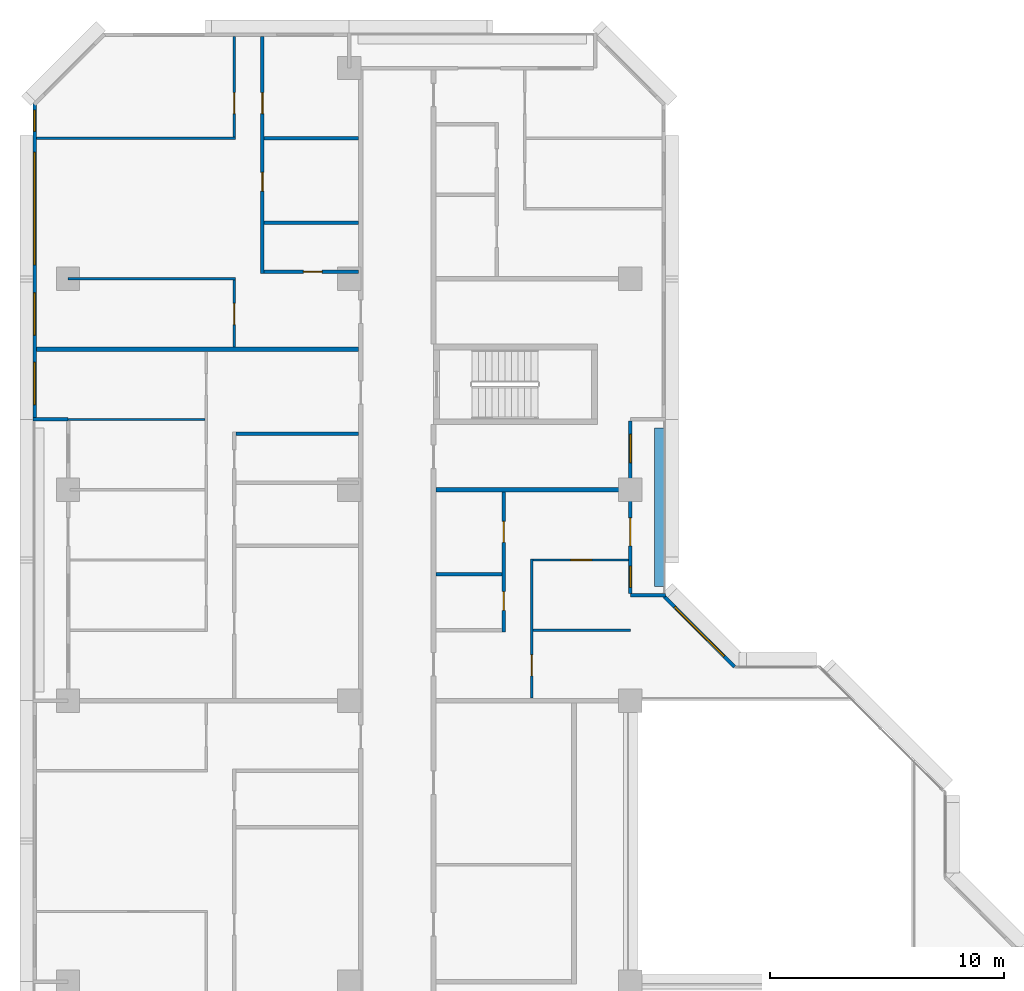
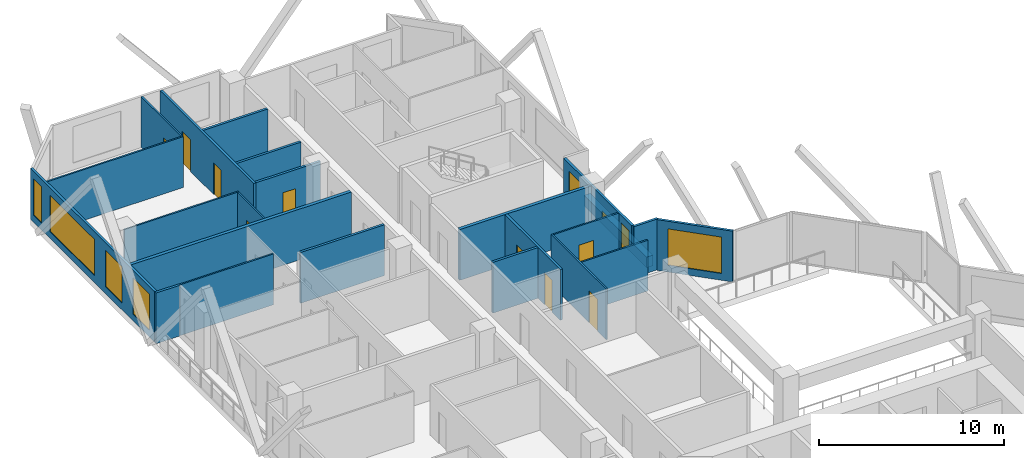
# One storey, part 10 of 16: 23 walls, 10 doors, 7 windows, 17 openings.
"""IFC4 building model written with IfcOpenShell, lengths in metres."""

from ifc_helpers import new_model, si_unit, direction, frame, frame_2d, origin, place, context, subcontext, project, spatial, rectangle, extrude, material, layer, layer_set, type_object, element, fill, save


model = new_model("IFC4")

# Units and contexts
model_context = context("Model", 3, precision=1e-05, world=origin(), true_north=direction((0.0, 1.0)))
body_context = subcontext(model_context, "Body", "Model", "MODEL_VIEW")
ifc_project = project(units=[si_unit("LENGTHUNIT", "METRE"), si_unit("AREAUNIT", "SQUARE_METRE"), si_unit("VOLUMEUNIT", "CUBIC_METRE"), si_unit("PLANEANGLEUNIT", "RADIAN"), si_unit("MASSUNIT", "GRAM", prefix="KILO")], contexts=[model_context])

# Site, building, storey
site_placement = place(None, origin())
site = spatial("IfcSite", under=ifc_project, at=site_placement, CompositionType="ELEMENT")
building_placement = place(site_placement, origin())
building = spatial("IfcBuilding", under=site, at=building_placement, Name="Chenar Terraces", CompositionType="ELEMENT")
storey_placement = place(building_placement, frame((0.0, 0.0, 99.39990234375)))
storey = spatial("IfcBuildingStorey", under=building, at=storey_placement, Name="L22", CompositionType="ELEMENT", Elevation=99.39990234375)

# Wall, openings, windows
ifc_material_1 = material(Name="Aluminium framed glazing", Category="aluminium")
ifc_layer_1 = layer(ifc_material_1, 0.14990234375)
ifc_layer_set_1 = layer_set([ifc_layer_1], Name="Aluminium framed glazing")
wall_type_1 = type_object("IfcWallType", Name="Glazed flush facade wall 150", PredefinedType="SOLIDWALL", material=ifc_layer_set_1)
wall_1_placement = place(storey_placement, frame((-1.425048828125, 61.5, 0.0), z_axis=(0.0, 0.0, 1.0), x_axis=(0.0, -1.0, 0.0)))
wall_1 = element("IfcWall", 1, at=wall_1_placement, inside=storey, type_object=wall_type_1, Name="Glazed flush facade wall", PredefinedType="SOLIDWALL", context=body_context, shape_type="SweptSolid", body=[
    extrude(rectangle(XDim=13.425048828125, YDim=0.14990234375, at=frame_2d((6.71240234375, 0.0))), origin(), (0.0, 0.0, 1.0), 3.35009765625),
])
opening_1_placement = place(wall_1_placement, frame((0.300048828125, 0.0, 0.449951171875)))
opening_1 = element("IfcOpeningElement", 2, at=opening_1_placement, cuts=wall_1, Name="Opening W90x240", PredefinedType="OPENING", context=body_context, shape_type="SweptSolid", body=[
    extrude(rectangle(XDim=0.89990234375, YDim=2.39990234375, at=frame_2d((0.449951171875, 1.199951171875))), frame((0.0, 0.0849609375, 0.0), z_axis=(0.0, -1.0, 0.0), x_axis=(1.0, 0.0, 0.0)), (0.0, 0.0, 1.0), 0.169921875),
])
opening_2_placement = place(wall_1_placement, frame((2.10009765625, 0.0, 0.449951171875)))
opening_2 = element("IfcOpeningElement", 3, at=opening_2_placement, cuts=wall_1, Name="Opening W480x240", PredefinedType="OPENING", context=body_context, shape_type="SweptSolid", body=[
    extrude(rectangle(XDim=4.800048828125, YDim=2.39990234375, at=frame_2d((2.39990234375, 1.199951171875))), frame((0.0, 0.0849609375, 0.0), z_axis=(0.0, -1.0, 0.0), x_axis=(1.0, 0.0, 0.0)), (0.0, 0.0, 1.0), 0.169921875),
])
opening_3_placement = place(wall_1_placement, frame((8.10009765625, 0.0, 0.449951171875)))
opening_3 = element("IfcOpeningElement", 4, at=opening_3_placement, cuts=wall_1, Name="Opening W180x240", PredefinedType="OPENING", context=body_context, shape_type="SweptSolid", body=[
    extrude(rectangle(XDim=1.800048828125, YDim=2.39990234375, at=frame_2d((0.89990234375, 1.199951171875))), frame((0.0, 0.0849609375, 0.0), z_axis=(0.0, -1.0, 0.0), x_axis=(1.0, 0.0, 0.0)), (0.0, 0.0, 1.0), 0.169921875),
])
opening_4_placement = place(wall_1_placement, frame((11.0625, 0.0, 0.449951171875)))
opening_4 = element("IfcOpeningElement", 5, at=opening_4_placement, cuts=wall_1, Name="Opening W180x240", PredefinedType="OPENING", context=body_context, shape_type="SweptSolid", body=[
    extrude(rectangle(XDim=1.800048828125, YDim=2.39990234375, at=frame_2d((0.89990234375, 1.199951171875))), frame((0.0, 0.0849609375, 0.0), z_axis=(0.0, -1.0, 0.0), x_axis=(1.0, 0.0, 0.0)), (0.0, 0.0, 1.0), 0.169921875),
])
ifc_material_2 = material(Name="Low emissivity double glazing, aluminium frame", Category="aluminium")
window_type_1 = type_object("IfcWindowType", Name="Fixed light 1800 x 2400", PartitioningType="SINGLE_PANEL", PredefinedType="WINDOW", material=ifc_material_2)
window_1_placement = place(opening_3_placement, origin())
window_1 = element("IfcWindow", 6, at=window_1_placement, inside=storey, type_object=window_type_1, Name="Window", OverallHeight=2.39990234375, OverallWidth=1.800048828125, PartitioningType="SINGLE_PANEL", PredefinedType="WINDOW", context=body_context, shape_type="SweptSolid", body=[
    extrude(rectangle(XDim=1.800048828125, YDim=2.39990234375, at=frame_2d((0.89990234375, 1.199951171875))), frame((0.0, 0.030029296875, 0.0), z_axis=(0.0, -1.0, 0.0), x_axis=(1.0, 0.0, 0.0)), (0.0, 0.0, 1.0), 0.06005859375),
])
fill(opening_3, window_1)
window_2_placement = place(opening_4_placement, origin())
window_2 = element("IfcWindow", 7, at=window_2_placement, inside=storey, type_object=window_type_1, Name="Window", OverallHeight=2.39990234375, OverallWidth=1.800048828125, PartitioningType="SINGLE_PANEL", PredefinedType="WINDOW", context=body_context, shape_type="SweptSolid", body=[
    extrude(rectangle(XDim=1.800048828125, YDim=2.39990234375, at=frame_2d((0.89990234375, 1.199951171875))), frame((0.0, 0.030029296875, 0.0), z_axis=(0.0, -1.0, 0.0), x_axis=(1.0, 0.0, 0.0)), (0.0, 0.0, 1.0), 0.06005859375),
])
fill(opening_4, window_2)
ifc_material_3 = material(Name="Low emissivity double glazing, aluminium frame", Category="aluminium")
window_type_2 = type_object("IfcWindowType", Name="Fixed light 4800 x 2400", PartitioningType="SINGLE_PANEL", PredefinedType="WINDOW", material=ifc_material_3)
window_3_placement = place(opening_2_placement, origin())
window_3 = element("IfcWindow", 8, at=window_3_placement, inside=storey, type_object=window_type_2, Name="Window", OverallHeight=2.39990234375, OverallWidth=4.800048828125, PartitioningType="SINGLE_PANEL", PredefinedType="WINDOW", context=body_context, shape_type="SweptSolid", body=[
    extrude(rectangle(XDim=4.800048828125, YDim=2.39990234375, at=frame_2d((2.39990234375, 1.199951171875))), frame((0.0, 0.030029296875, 0.0), z_axis=(0.0, -1.0, 0.0), x_axis=(1.0, 0.0, 0.0)), (0.0, 0.0, 1.0), 0.06005859375),
])
fill(opening_2, window_3)
ifc_material_4 = material(Name="Low emissivity double glazing, aluminium frame", Category="aluminium")
window_type_3 = type_object("IfcWindowType", Name="Fixed light 900 x 2400", PartitioningType="SINGLE_PANEL", PredefinedType="WINDOW", material=ifc_material_4)
window_4_placement = place(opening_1_placement, origin())
window_4 = element("IfcWindow", 9, at=window_4_placement, inside=storey, type_object=window_type_3, Name="Window", OverallHeight=2.39990234375, OverallWidth=0.89990234375, PartitioningType="SINGLE_PANEL", PredefinedType="WINDOW", context=body_context, shape_type="SweptSolid", body=[
    extrude(rectangle(XDim=0.89990234375, YDim=2.39990234375, at=frame_2d((0.449951171875, 1.199951171875))), frame((0.0, 0.030029296875, 0.0), z_axis=(0.0, -1.0, 0.0), x_axis=(1.0, 0.0, 0.0)), (0.0, 0.0, 1.0), 0.06005859375),
])
fill(opening_1, window_4)

# Wall, openings, windows, door
ifc_material_5 = material(Name="Aluminium framed glazing", Category="aluminium")
ifc_layer_2 = layer(ifc_material_5, 0.14990234375)
ifc_layer_set_2 = layer_set([ifc_layer_2], Name="Aluminium framed glazing")
wall_type_2 = type_object("IfcWallType", Name="Glazed loggia back wall 150", PredefinedType="SOLIDWALL", material=ifc_layer_set_2)
wall_2_placement = place(storey_placement, frame((24.0, 40.574951171875, 0.0), z_axis=(0.0, 0.0, 1.0), x_axis=(0.0, 1.0, 0.0)))
wall_2 = element("IfcWall", 10, at=wall_2_placement, inside=storey, type_object=wall_type_2, Name="Glazed loggia back wall", PredefinedType="SOLIDWALL", context=body_context, shape_type="SweptSolid", body=[
    extrude(rectangle(XDim=7.35009765625, YDim=0.14990234375, at=frame_2d((3.675048828125, 0.0))), origin(), (0.0, 0.0, 1.0), 3.35009765625),
])
opening_5_placement = place(wall_2_placement, frame((0.262451171875, 0.0, 0.449951171875)))
opening_5 = element("IfcOpeningElement", 11, at=opening_5_placement, cuts=wall_2, Name="Opening W90x240", PredefinedType="OPENING", context=body_context, shape_type="SweptSolid", body=[
    extrude(rectangle(XDim=0.89990234375, YDim=2.39990234375, at=frame_2d((0.449951171875, 1.199951171875))), frame((0.0, 0.0849609375, 0.0), z_axis=(0.0, -1.0, 0.0), x_axis=(1.0, 0.0, 0.0)), (0.0, 0.0, 1.0), 0.169921875),
])
opening_6_placement = place(wall_2_placement, frame((2.02490234375, 0.0, 0.0)))
opening_6 = element("IfcOpeningElement", 12, at=opening_6_placement, cuts=wall_2, Name="Opening DL22-G2", PredefinedType="OPENING", context=body_context, shape_type="SweptSolid", body=[
    extrude(rectangle(XDim=1.199951171875, YDim=2.39990234375, at=frame_2d((0.60009765625, 1.199951171875))), frame((0.0, 0.0849609375, 0.0), z_axis=(0.0, -1.0, 0.0), x_axis=(1.0, 0.0, 0.0)), (0.0, 0.0, 1.0), 0.169921875),
])
opening_7_placement = place(wall_2_placement, frame((5.58740234375, 0.0, 0.449951171875)))
opening_7 = element("IfcOpeningElement", 13, at=opening_7_placement, cuts=wall_2, Name="Opening W120x240", PredefinedType="OPENING", context=body_context, shape_type="SweptSolid", body=[
    extrude(rectangle(XDim=1.199951171875, YDim=2.39990234375, at=frame_2d((0.60009765625, 1.199951171875))), frame((0.0, 0.0849609375, 0.0), z_axis=(0.0, -1.0, 0.0), x_axis=(1.0, 0.0, 0.0)), (0.0, 0.0, 1.0), 0.169921875),
])
ifc_material_6 = material(Name="Low emissivity double glazing, aluminium frame", Category="aluminium")
window_type_4 = type_object("IfcWindowType", Name="Fixed light 1200 x 2400", PartitioningType="SINGLE_PANEL", PredefinedType="WINDOW", material=ifc_material_6)
window_5_placement = place(opening_7_placement, origin())
window_5 = element("IfcWindow", 14, at=window_5_placement, inside=storey, type_object=window_type_4, Name="Window", OverallHeight=2.39990234375, OverallWidth=1.199951171875, PartitioningType="SINGLE_PANEL", PredefinedType="WINDOW", context=body_context, shape_type="SweptSolid", body=[
    extrude(rectangle(XDim=1.199951171875, YDim=2.39990234375, at=frame_2d((0.60009765625, 1.199951171875))), frame((0.0, 0.030029296875, 0.0), z_axis=(0.0, -1.0, 0.0), x_axis=(1.0, 0.0, 0.0)), (0.0, 0.0, 1.0), 0.06005859375),
])
fill(opening_7, window_5)
window_6_placement = place(opening_5_placement, origin())
window_6 = element("IfcWindow", 15, at=window_6_placement, inside=storey, type_object=window_type_3, Name="Window", OverallHeight=2.39990234375, OverallWidth=0.89990234375, PartitioningType="SINGLE_PANEL", PredefinedType="WINDOW", context=body_context, shape_type="SweptSolid", body=[
    extrude(rectangle(XDim=0.89990234375, YDim=2.39990234375, at=frame_2d((0.449951171875, 1.199951171875))), frame((0.0, 0.030029296875, 0.0), z_axis=(0.0, -1.0, 0.0), x_axis=(1.0, 0.0, 0.0)), (0.0, 0.0, 1.0), 0.06005859375),
])
fill(opening_5, window_6)
ifc_material_7 = material(Name="Low emissivity double glazing, aluminium frame", Category="aluminium")
door_type_1 = type_object("IfcDoorType", Name="Loggia glazed double door 1200 x 2400", OperationType="DOUBLE_DOOR_SINGLE_SWING", PredefinedType="DOOR", material=ifc_material_7)
door_1_placement = place(opening_6_placement, frame((1.199951171875, 0.0, 0.0), z_axis=(0.0, 0.0, 1.0), x_axis=(-1.0, 0.0, 0.0)))
door_1 = element("IfcDoor", 16, at=door_1_placement, inside=storey, type_object=door_type_1, Name="Loggia glazed door", OperationType="DOUBLE_DOOR_SINGLE_SWING", OverallHeight=2.39990234375, OverallWidth=1.199951171875, PredefinedType="DOOR", context=body_context, shape_type="SweptSolid", body=[
    extrude(rectangle(XDim=1.199951171875, YDim=2.39990234375, at=frame_2d((0.60009765625, 1.199951171875))), frame((0.0, 0.02490234375, 0.0), z_axis=(0.0, -1.0, 0.0), x_axis=(1.0, 0.0, 0.0)), (0.0, 0.0, 1.0), 0.050048828125),
])
fill(opening_6, door_1)

# Walls
ifc_material_8 = material(Name="Gypsum board on steel studs", Category="steel")
ifc_layer_3 = layer(ifc_material_8, 0.10009765625)
ifc_layer_set_3 = layer_set([ifc_layer_3], Name="Gypsum board on steel studs")
wall_type_3 = type_object("IfcWallType", Name="Gypsum partition 100", PredefinedType="PARTITIONING", material=ifc_layer_set_3)
wall_3_placement = place(storey_placement, frame((0.0, 48.0, 0.0), z_axis=(0.0, 0.0, 1.0), x_axis=(1.0, 0.0, 0.0)))
element("IfcWall", 17, at=wall_3_placement, inside=storey, type_object=wall_type_3, Name="Partition L22-004", PredefinedType="PARTITIONING", context=body_context, shape_type="SweptSolid", body=[
    extrude(rectangle(XDim=5.85009765625, YDim=0.10009765625, at=frame_2d((2.925048828125, 0.0))), origin(), (0.0, 0.0, 1.0), 3.35009765625),
])
wall_4_placement = place(storey_placement, frame((0.0, 54.0, 0.0), z_axis=(0.0, 0.0, 1.0), x_axis=(1.0, 0.0, 0.0)))
element("IfcWall", 18, at=wall_4_placement, inside=storey, type_object=wall_type_3, Name="Partition L22-006", PredefinedType="PARTITIONING", context=body_context, shape_type="SweptSolid", body=[
    extrude(rectangle(XDim=7.14990234375, YDim=0.10009765625, at=frame_2d((3.574951171875, 0.0))), origin(), (0.0, 0.0, 1.0), 3.35009765625),
])
wall_5_placement = place(storey_placement, frame((-1.35009765625, 60.0, 0.0), z_axis=(0.0, 0.0, 1.0), x_axis=(1.0, 0.0, 0.0)))
element("IfcWall", 19, at=wall_5_placement, inside=storey, type_object=wall_type_3, Name="Partition L22-007", PredefinedType="PARTITIONING", context=body_context, shape_type="SweptSolid", body=[
    extrude(rectangle(XDim=8.5, YDim=0.10009765625, at=frame_2d((4.25, 0.0))), origin(), (0.0, 0.0, 1.0), 3.35009765625),
])

# Wall, opening, door
wall_6_placement = place(storey_placement, frame((7.10009765625, 51.10009765625, 0.0), z_axis=(0.0, 0.0, 1.0), x_axis=(0.0, 1.0, 0.0)))
wall_6 = element("IfcWall", 20, at=wall_6_placement, inside=storey, type_object=wall_type_3, Name="Partition L22-019", PredefinedType="PARTITIONING", context=body_context, shape_type="SweptSolid", body=[
    extrude(rectangle(XDim=2.849853515625, YDim=0.10009765625, at=frame_2d((1.4248046875, 0.0))), origin(), (0.0, 0.0, 1.0), 3.35009765625),
])
opening_8_placement = place(wall_6_placement, frame((0.949951171875, 0.0, 0.0)))
opening_8 = element("IfcOpeningElement", 21, at=opening_8_placement, cuts=wall_6, Name="Opening DL22-43", PredefinedType="OPENING", context=body_context, shape_type="SweptSolid", body=[
    extrude(rectangle(XDim=0.89990234375, YDim=2.10009765625, at=frame_2d((0.449951171875, 1.050048828125))), frame((0.0, 0.06005859375, 0.0), z_axis=(0.0, -1.0, 0.0), x_axis=(1.0, 0.0, 0.0)), (0.0, 0.0, 1.0), 0.1201171875),
])
ifc_material_9 = material(Name="Veneered timber door leaf", Category="wood")
door_type_2 = type_object("IfcDoorType", Name="Door 900 x 2100", OperationType="SINGLE_SWING_LEFT", PredefinedType="DOOR", material=ifc_material_9)
door_2_placement = place(opening_8_placement, origin())
door_2 = element("IfcDoor", 22, at=door_2_placement, inside=storey, type_object=door_type_2, Name="Door DL22-43", OperationType="SINGLE_SWING_RIGHT", OverallHeight=2.10009765625, OverallWidth=0.89990234375, PredefinedType="DOOR", context=body_context, shape_type="SweptSolid", body=[
    extrude(rectangle(XDim=0.89990234375, YDim=2.10009765625, at=frame_2d((0.449951171875, 1.050048828125))), frame((0.0, 0.02490234375, 0.0), z_axis=(0.0, -1.0, 0.0), x_axis=(1.0, 0.0, 0.0)), (0.0, 0.0, 1.0), 0.050048828125),
])
fill(opening_8, door_2)

wall_7_placement = place(storey_placement, frame((7.10009765625, 60.050048828125, 0.0), z_axis=(0.0, 0.0, 1.0), x_axis=(0.0, 1.0, 0.0)))
wall_7 = element("IfcWall", 23, at=wall_7_placement, inside=storey, type_object=wall_type_3, Name="Partition L22-020", PredefinedType="PARTITIONING", context=body_context, shape_type="SweptSolid", body=[
    extrude(rectangle(XDim=4.300048828125, YDim=0.10009765625, at=frame_2d((2.14990234375, 0.0))), origin(), (0.0, 0.0, 1.0), 3.35009765625),
])
opening_9_placement = place(wall_7_placement, frame((1.0, 0.0, 0.0)))
opening_9 = element("IfcOpeningElement", 24, at=opening_9_placement, cuts=wall_7, Name="Opening DL22-44", PredefinedType="OPENING", context=body_context, shape_type="SweptSolid", body=[
    extrude(rectangle(XDim=0.89990234375, YDim=2.10009765625, at=frame_2d((0.449951171875, 1.050048828125))), frame((0.0, 0.06005859375, 0.0), z_axis=(0.0, -1.0, 0.0), x_axis=(1.0, 0.0, 0.0)), (0.0, 0.0, 1.0), 0.1201171875),
])
door_3_placement = place(opening_9_placement, origin())
door_3 = element("IfcDoor", 25, at=door_3_placement, inside=storey, type_object=door_type_2, Name="Door DL22-44", OperationType="SINGLE_SWING_LEFT", OverallHeight=2.10009765625, OverallWidth=0.89990234375, PredefinedType="DOOR", context=body_context, shape_type="SweptSolid", body=[
    extrude(rectangle(XDim=0.89990234375, YDim=2.10009765625, at=frame_2d((0.449951171875, 1.050048828125))), frame((0.0, 0.02490234375, 0.0), z_axis=(0.0, -1.0, 0.0), x_axis=(1.0, 0.0, 0.0)), (0.0, 0.0, 1.0), 0.050048828125),
])
fill(opening_9, door_3)

wall_8_placement = place(storey_placement, frame((19.800048828125, 36.10009765625, 0.0), z_axis=(0.0, 0.0, 1.0), x_axis=(0.0, 1.0, 0.0)))
wall_8 = element("IfcWall", 26, at=wall_8_placement, inside=storey, type_object=wall_type_3, Name="Partition L22-052", PredefinedType="PARTITIONING", context=body_context, shape_type="SweptSolid", body=[
    extrude(rectangle(XDim=5.949951171875, YDim=0.10009765625, at=frame_2d((2.97509765625, 0.0))), origin(), (0.0, 0.0, 1.0), 3.35009765625),
])
opening_10_placement = place(wall_8_placement, frame((0.949951171875, 0.0, 0.0)))
opening_10 = element("IfcOpeningElement", 27, at=opening_10_placement, cuts=wall_8, Name="Opening DL22-25", PredefinedType="OPENING", context=body_context, shape_type="SweptSolid", body=[
    extrude(rectangle(XDim=0.89990234375, YDim=2.10009765625, at=frame_2d((0.449951171875, 1.050048828125))), frame((0.0, 0.06005859375, 0.0), z_axis=(0.0, -1.0, 0.0), x_axis=(1.0, 0.0, 0.0)), (0.0, 0.0, 1.0), 0.1201171875),
])
door_4_placement = place(opening_10_placement, frame((0.89990234375, 0.0, 0.0), z_axis=(0.0, 0.0, 1.0), x_axis=(-1.0, 0.0, 0.0)))
door_4 = element("IfcDoor", 28, at=door_4_placement, inside=storey, type_object=door_type_2, Name="Door DL22-25", OperationType="SINGLE_SWING_LEFT", OverallHeight=2.10009765625, OverallWidth=0.89990234375, PredefinedType="DOOR", context=body_context, shape_type="SweptSolid", body=[
    extrude(rectangle(XDim=0.89990234375, YDim=2.10009765625, at=frame_2d((0.449951171875, 1.050048828125))), frame((0.0, 0.02490234375, 0.0), z_axis=(0.0, -1.0, 0.0), x_axis=(1.0, 0.0, 0.0)), (0.0, 0.0, 1.0), 0.050048828125),
])
fill(opening_10, door_4)

# Wall
wall_9_placement = place(storey_placement, frame((19.85009765625, 39.0, 0.0), z_axis=(0.0, 0.0, 1.0), x_axis=(1.0, 0.0, 0.0)))
element("IfcWall", 29, at=wall_9_placement, inside=storey, type_object=wall_type_3, Name="Partition L22-053", PredefinedType="PARTITIONING", context=body_context, shape_type="SweptSolid", body=[
    extrude(rectangle(XDim=4.14990234375, YDim=0.10009765625, at=frame_2d((2.074951171875, 0.0))), origin(), (0.0, 0.0, 1.0), 3.35009765625),
])

# Wall, opening, door
wall_10_placement = place(storey_placement, frame((19.85009765625, 42.0, 0.0), z_axis=(0.0, 0.0, 1.0), x_axis=(1.0, 0.0, 0.0)))
wall_10 = element("IfcWall", 30, at=wall_10_placement, inside=storey, type_object=wall_type_3, Name="Partition L22-054", PredefinedType="PARTITIONING", context=body_context, shape_type="SweptSolid", body=[
    extrude(rectangle(XDim=4.075927734375, YDim=0.10009765625, at=frame_2d((2.0380859375, 0.0))), origin(), (0.0, 0.0, 1.0), 3.35009765625),
])
opening_11_placement = place(wall_10_placement, frame((1.60009765625, 0.0, 0.0)))
opening_11 = element("IfcOpeningElement", 31, at=opening_11_placement, cuts=wall_10, Name="Opening DL22-26", PredefinedType="OPENING", context=body_context, shape_type="SweptSolid", body=[
    extrude(rectangle(XDim=0.89990234375, YDim=2.10009765625, at=frame_2d((0.449951171875, 1.050048828125))), frame((0.0, 0.06005859375, 0.0), z_axis=(0.0, -1.0, 0.0), x_axis=(1.0, 0.0, 0.0)), (0.0, 0.0, 1.0), 0.1201171875),
])
door_5_placement = place(opening_11_placement, frame((0.89990234375, 0.0, 0.0), z_axis=(0.0, 0.0, 1.0), x_axis=(-1.0, 0.0, 0.0)))
door_5 = element("IfcDoor", 32, at=door_5_placement, inside=storey, type_object=door_type_2, Name="Door DL22-26", OperationType="SINGLE_SWING_LEFT", OverallHeight=2.10009765625, OverallWidth=0.89990234375, PredefinedType="DOOR", context=body_context, shape_type="SweptSolid", body=[
    extrude(rectangle(XDim=0.89990234375, YDim=2.10009765625, at=frame_2d((0.449951171875, 1.050048828125))), frame((0.0, 0.02490234375, 0.0), z_axis=(0.0, -1.0, 0.0), x_axis=(1.0, 0.0, 0.0)), (0.0, 0.0, 1.0), 0.050048828125),
])
fill(opening_11, door_5)

# Walls
ifc_material_10 = material(Name="Terracotta cladding on insulated backing", Category="masonry")
ifc_layer_4 = layer(ifc_material_10, 0.14990234375)
ifc_layer_set_4 = layer_set([ifc_layer_4], Name="Terracotta cladding on insulated backing")
wall_type_4 = type_object("IfcWallType", Name="Loggia return wall 150", PredefinedType="SOLIDWALL", material=ifc_layer_set_4)
for number, where, z_axis, x_axis, name in (
    (33, (25.5, 40.5, 0.0), (0.0, 0.0, 1.0), (-1.0, 0.0, 0.0), "Loggia return wall"),
    (34, (-1.5, 48.0, 0.0), (0.0, 0.0, 1.0), (1.0, 0.0, 0.0), "Loggia return wall"),
):
    element("IfcWall", number, at=place(storey_placement, frame(where, z_axis=z_axis, x_axis=x_axis)), inside=storey, type_object=wall_type_4, Name=name, PredefinedType="SOLIDWALL", context=body_context, shape_type="SweptSolid", body=[
        extrude(rectangle(XDim=1.5, YDim=0.14990234375, at=frame_2d((0.75, 0.0))), origin(), (0.0, 0.0, 1.0), 3.35009765625),
    ])

# Wall, opening, window
ifc_material_11 = material(Name="Terracotta cladding on insulated backing", Category="masonry")
ifc_layer_5 = layer(ifc_material_11, 0.14990234375)
ifc_layer_set_5 = layer_set([ifc_layer_5], Name="Terracotta cladding on insulated backing")
wall_type_5 = type_object("IfcWallType", Name="Terracotta rainscreen wall 150", PredefinedType="SOLIDWALL", material=ifc_layer_set_5)
wall_11_placement = place(storey_placement, frame((28.447021484375, 37.447021484375, 0.0), z_axis=(0.0, 0.0, 1.0), x_axis=(-0.707106781187, 0.707106781187, 0.0)))
wall_11 = element("IfcWall", 35, at=wall_11_placement, inside=storey, type_object=wall_type_5, Name="Terracotta rainscreen wall", PredefinedType="SOLIDWALL", context=body_context, shape_type="SweptSolid", body=[
    extrude(rectangle(XDim=4.24267578125, YDim=0.14990234375, at=frame_2d((2.121337890625, 0.0))), origin(), (0.0, 0.0, 1.0), 3.35009765625),
])
opening_12_placement = place(wall_11_placement, frame((0.621337890625, 0.0, 0.449951171875)))
opening_12 = element("IfcOpeningElement", 36, at=opening_12_placement, cuts=wall_11, Name="Opening W300x240", PredefinedType="OPENING", context=body_context, shape_type="SweptSolid", body=[
    extrude(rectangle(XDim=3.0, YDim=2.39990234375, at=frame_2d((1.5, 1.199951171875))), frame((0.0, 0.0849609375, 0.0), z_axis=(0.0, -1.0, 0.0), x_axis=(1.0, 0.0, 0.0)), (0.0, 0.0, 1.0), 0.169921875),
])
ifc_material_12 = material(Name="Low emissivity double glazing, aluminium frame", Category="aluminium")
window_type_5 = type_object("IfcWindowType", Name="Fixed light 3000 x 2400", PartitioningType="SINGLE_PANEL", PredefinedType="WINDOW", material=ifc_material_12)
window_7_placement = place(opening_12_placement, origin())
window_7 = element("IfcWindow", 37, at=window_7_placement, inside=storey, type_object=window_type_5, Name="Window", OverallHeight=2.39990234375, OverallWidth=3.0, PartitioningType="SINGLE_PANEL", PredefinedType="WINDOW", context=body_context, shape_type="SweptSolid", body=[
    extrude(rectangle(XDim=3.0, YDim=2.39990234375, at=frame_2d((1.5, 1.199951171875))), frame((0.0, 0.030029296875, 0.0), z_axis=(0.0, -1.0, 0.0), x_axis=(1.0, 0.0, 0.0)), (0.0, 0.0, 1.0), 0.06005859375),
])
fill(opening_12, window_7)

# Walls
ifc_material_13 = material(Name="Twin gypsum board on steel studs with mineral wool", Category="steel")
ifc_layer_6 = layer(ifc_material_13, 0.199951171875)
ifc_layer_set_6 = layer_set([ifc_layer_6], Name="Twin gypsum board on steel studs with mineral wool")
wall_type_6 = type_object("IfcWallType", Name="Unit demising wall 200", PredefinedType="PARTITIONING", material=ifc_layer_set_6)
wall_12_placement = place(storey_placement, frame((-1.35009765625, 51.0, 0.0), z_axis=(0.0, 0.0, 1.0), x_axis=(1.0, 0.0, 0.0)))
element("IfcWall", 38, at=wall_12_placement, inside=storey, type_object=wall_type_6, Name="Partition L22-005", PredefinedType="PARTITIONING", context=body_context, shape_type="SweptSolid", body=[
    extrude(rectangle(XDim=13.75, YDim=0.199951171875, at=frame_2d((6.875, 0.0))), origin(), (0.0, 0.0, 1.0), 3.35009765625),
])
wall_13_placement = place(storey_placement, frame((15.699951171875, 45.0, 0.0), z_axis=(0.0, 0.0, 1.0), x_axis=(1.0, 0.0, 0.0)))
element("IfcWall", 39, at=wall_13_placement, inside=storey, type_object=wall_type_6, Name="Partition L22-043", PredefinedType="PARTITIONING", context=body_context, shape_type="SweptSolid", body=[
    extrude(rectangle(XDim=8.22607421875, YDim=0.199951171875, at=frame_2d((4.113037109375, 0.0))), origin(), (0.0, 0.0, 1.0), 3.35009765625),
])
ifc_material_14 = material(Name="GRP planter trough")
ifc_layer_7 = layer(ifc_material_14, 0.39990234375)
ifc_layer_set_7 = layer_set([ifc_layer_7], Name="GRP planter trough")
wall_type_7 = type_object("IfcWallType", Name="Vertical greenery planter 400", PredefinedType="SOLIDWALL", material=ifc_layer_set_7)
wall_14_placement = place(storey_placement, frame((25.22900390625, 40.875, 0.0), z_axis=(0.0, 0.0, 1.0), x_axis=(0.0, 1.0, 0.0)))
element("IfcWall", 40, at=wall_14_placement, inside=storey, type_object=wall_type_7, Name="Vertical greenery planter", PredefinedType="SOLIDWALL", context=body_context, shape_type="SweptSolid", body=[
    extrude(rectangle(XDim=6.75, YDim=0.39990234375, at=frame_2d((3.375, 0.0))), origin(), (0.0, 0.0, 1.0), 0.7001953125),
])
ifc_material_15 = material(Name="Moisture-resistant gypsum board on steel studs", Category="steel")
ifc_layer_8 = layer(ifc_material_15, 0.14990234375)
ifc_layer_set_8 = layer_set([ifc_layer_8], Name="Moisture-resistant gypsum board on steel studs")
wall_type_8 = type_object("IfcWallType", Name="Wet-room partition 150", PredefinedType="PARTITIONING", material=ifc_layer_set_8)
wall_15_placement = place(storey_placement, frame((7.175048828125, 47.39990234375, 0.0), z_axis=(0.0, 0.0, 1.0), x_axis=(1.0, 0.0, 0.0)))
element("IfcWall", 41, at=wall_15_placement, inside=storey, type_object=wall_type_8, Name="Partition L22-025", PredefinedType="PARTITIONING", context=body_context, shape_type="SweptSolid", body=[
    extrude(rectangle(XDim=5.224853515625, YDim=0.14990234375, at=frame_2d((2.6123046875, 0.0))), origin(), (0.0, 0.0, 1.0), 3.35009765625),
])

# Wall, openings, doors
wall_16_placement = place(storey_placement, frame((8.300048828125, 54.22509765625, 0.0), z_axis=(0.0, 0.0, 1.0), x_axis=(0.0, 1.0, 0.0)))
wall_16 = element("IfcWall", 42, at=wall_16_placement, inside=storey, type_object=wall_type_8, Name="Partition L22-026", PredefinedType="PARTITIONING", context=body_context, shape_type="SweptSolid", body=[
    extrude(rectangle(XDim=10.125, YDim=0.14990234375, at=frame_2d((5.0625, 0.0))), origin(), (0.0, 0.0, 1.0), 3.35009765625),
])
opening_13_placement = place(wall_16_placement, frame((6.824951171875, 0.0, 0.0)))
opening_13 = element("IfcOpeningElement", 43, at=opening_13_placement, cuts=wall_16, Name="Opening DL22-45", PredefinedType="OPENING", context=body_context, shape_type="SweptSolid", body=[
    extrude(rectangle(XDim=0.89990234375, YDim=2.10009765625, at=frame_2d((0.449951171875, 1.050048828125))), frame((0.0, 0.0849609375, 0.0), z_axis=(0.0, -1.0, 0.0), x_axis=(1.0, 0.0, 0.0)), (0.0, 0.0, 1.0), 0.169921875),
])
opening_14_placement = place(wall_16_placement, frame((3.52490234375, 0.0, 0.0)))
opening_14 = element("IfcOpeningElement", 44, at=opening_14_placement, cuts=wall_16, Name="Opening DL22-47", PredefinedType="OPENING", context=body_context, shape_type="SweptSolid", body=[
    extrude(rectangle(XDim=0.800048828125, YDim=2.10009765625, at=frame_2d((0.39990234375, 1.050048828125))), frame((0.0, 0.0849609375, 0.0), z_axis=(0.0, -1.0, 0.0), x_axis=(1.0, 0.0, 0.0)), (0.0, 0.0, 1.0), 0.169921875),
])
ifc_material_16 = material(Name="Veneered timber door leaf", Category="wood")
door_type_3 = type_object("IfcDoorType", Name="Door 800 x 2100", OperationType="SINGLE_SWING_LEFT", PredefinedType="DOOR", material=ifc_material_16)
door_6_placement = place(opening_14_placement, frame((0.800048828125, 0.0, 0.0), z_axis=(0.0, 0.0, 1.0), x_axis=(-1.0, 0.0, 0.0)))
door_6 = element("IfcDoor", 45, at=door_6_placement, inside=storey, type_object=door_type_3, Name="Door DL22-47", OperationType="SINGLE_SWING_RIGHT", OverallHeight=2.10009765625, OverallWidth=0.800048828125, PredefinedType="DOOR", context=body_context, shape_type="SweptSolid", body=[
    extrude(rectangle(XDim=0.800048828125, YDim=2.10009765625, at=frame_2d((0.39990234375, 1.050048828125))), frame((0.0, 0.02490234375, 0.0), z_axis=(0.0, -1.0, 0.0), x_axis=(1.0, 0.0, 0.0)), (0.0, 0.0, 1.0), 0.050048828125),
])
fill(opening_14, door_6)
door_7_placement = place(opening_13_placement, frame((0.89990234375, 0.0, 0.0), z_axis=(0.0, 0.0, 1.0), x_axis=(-1.0, 0.0, 0.0)))
door_7 = element("IfcDoor", 46, at=door_7_placement, inside=storey, type_object=door_type_2, Name="Door DL22-45", OperationType="SINGLE_SWING_RIGHT", OverallHeight=2.10009765625, OverallWidth=0.89990234375, PredefinedType="DOOR", context=body_context, shape_type="SweptSolid", body=[
    extrude(rectangle(XDim=0.89990234375, YDim=2.10009765625, at=frame_2d((0.449951171875, 1.050048828125))), frame((0.0, 0.02490234375, 0.0), z_axis=(0.0, -1.0, 0.0), x_axis=(1.0, 0.0, 0.0)), (0.0, 0.0, 1.0), 0.050048828125),
])
fill(opening_13, door_7)

# Wall, opening, door
wall_17_placement = place(storey_placement, frame((8.375, 54.300048828125, 0.0), z_axis=(0.0, 0.0, 1.0), x_axis=(1.0, 0.0, 0.0)))
wall_17 = element("IfcWall", 47, at=wall_17_placement, inside=storey, type_object=wall_type_8, Name="Partition L22-027", PredefinedType="PARTITIONING", context=body_context, shape_type="SweptSolid", body=[
    extrude(rectangle(XDim=4.02490234375, YDim=0.14990234375, at=frame_2d((2.012451171875, 0.0))), origin(), (0.0, 0.0, 1.0), 3.35009765625),
])
opening_15_placement = place(wall_17_placement, frame((1.675048828125, 0.0, 0.0)))
opening_15 = element("IfcOpeningElement", 48, at=opening_15_placement, cuts=wall_17, Name="Opening DL22-42", PredefinedType="OPENING", context=body_context, shape_type="SweptSolid", body=[
    extrude(rectangle(XDim=0.800048828125, YDim=2.10009765625, at=frame_2d((0.39990234375, 1.050048828125))), frame((0.0, 0.0849609375, 0.0), z_axis=(0.0, -1.0, 0.0), x_axis=(1.0, 0.0, 0.0)), (0.0, 0.0, 1.0), 0.169921875),
])
door_8_placement = place(opening_15_placement, origin())
door_8 = element("IfcDoor", 49, at=door_8_placement, inside=storey, type_object=door_type_3, Name="Door DL22-42", OperationType="SINGLE_SWING_RIGHT", OverallHeight=2.10009765625, OverallWidth=0.800048828125, PredefinedType="DOOR", context=body_context, shape_type="SweptSolid", body=[
    extrude(rectangle(XDim=0.800048828125, YDim=2.10009765625, at=frame_2d((0.39990234375, 1.050048828125))), frame((0.0, 0.02490234375, 0.0), z_axis=(0.0, -1.0, 0.0), x_axis=(1.0, 0.0, 0.0)), (0.0, 0.0, 1.0), 0.050048828125),
])
fill(opening_15, door_8)

# Walls
for number, where, z_axis, x_axis, name in (
    (50, (8.375, 56.39990234375, 0.0), (0.0, 0.0, 1.0), (1.0, 0.0, 0.0), "Partition L22-028"),
    (51, (8.375, 60.0, 0.0), (0.0, 0.0, 1.0), (1.0, 0.0, 0.0), "Partition L22-029"),
):
    element("IfcWall", number, at=place(storey_placement, frame(where, z_axis=z_axis, x_axis=x_axis)), inside=storey, type_object=wall_type_8, Name=name, PredefinedType="PARTITIONING", context=body_context, shape_type="SweptSolid", body=[
        extrude(rectangle(XDim=4.02490234375, YDim=0.14990234375, at=frame_2d((2.012451171875, 0.0))), origin(), (0.0, 0.0, 1.0), 3.35009765625),
    ])
wall_18_placement = place(storey_placement, frame((15.699951171875, 41.39990234375, 0.0), z_axis=(0.0, 0.0, 1.0), x_axis=(1.0, 0.0, 0.0)))
element("IfcWall", 52, at=wall_18_placement, inside=storey, type_object=wall_type_8, Name="Partition L22-042", PredefinedType="PARTITIONING", context=body_context, shape_type="SweptSolid", body=[
    extrude(rectangle(XDim=2.824951171875, YDim=0.14990234375, at=frame_2d((1.41259765625, 0.0))), origin(), (0.0, 0.0, 1.0), 3.35009765625),
])

# Wall, openings, doors
wall_19_placement = place(storey_placement, frame((18.60009765625, 38.925048828125, 0.0), z_axis=(0.0, 0.0, 1.0), x_axis=(0.0, 1.0, 0.0)))
wall_19 = element("IfcWall", 53, at=wall_19_placement, inside=storey, type_object=wall_type_8, Name="Partition L22-048", PredefinedType="PARTITIONING", context=body_context, shape_type="SweptSolid", body=[
    extrude(rectangle(XDim=5.974853515625, YDim=0.14990234375, at=frame_2d((2.9873046875, 0.0))), origin(), (0.0, 0.0, 1.0), 3.35009765625),
])
opening_16_placement = place(wall_19_placement, frame((0.925048828125, 0.0, 0.0)))
opening_16 = element("IfcOpeningElement", 54, at=opening_16_placement, cuts=wall_19, Name="Opening DL22-24", PredefinedType="OPENING", context=body_context, shape_type="SweptSolid", body=[
    extrude(rectangle(XDim=0.800048828125, YDim=2.10009765625, at=frame_2d((0.39990234375, 1.050048828125))), frame((0.0, 0.0849609375, 0.0), z_axis=(0.0, -1.0, 0.0), x_axis=(1.0, 0.0, 0.0)), (0.0, 0.0, 1.0), 0.169921875),
])
opening_17_placement = place(wall_19_placement, frame((3.824951171875, 0.0, 0.0)))
opening_17 = element("IfcOpeningElement", 55, at=opening_17_placement, cuts=wall_19, Name="Opening DL22-27", PredefinedType="OPENING", context=body_context, shape_type="SweptSolid", body=[
    extrude(rectangle(XDim=0.89990234375, YDim=2.10009765625, at=frame_2d((0.449951171875, 1.050048828125))), frame((0.0, 0.0849609375, 0.0), z_axis=(0.0, -1.0, 0.0), x_axis=(1.0, 0.0, 0.0)), (0.0, 0.0, 1.0), 0.169921875),
])
door_9_placement = place(opening_16_placement, origin())
door_9 = element("IfcDoor", 56, at=door_9_placement, inside=storey, type_object=door_type_3, Name="Door DL22-24", OperationType="SINGLE_SWING_RIGHT", OverallHeight=2.10009765625, OverallWidth=0.800048828125, PredefinedType="DOOR", context=body_context, shape_type="SweptSolid", body=[
    extrude(rectangle(XDim=0.800048828125, YDim=2.10009765625, at=frame_2d((0.39990234375, 1.050048828125))), frame((0.0, 0.02490234375, 0.0), z_axis=(0.0, -1.0, 0.0), x_axis=(1.0, 0.0, 0.0)), (0.0, 0.0, 1.0), 0.050048828125),
])
fill(opening_16, door_9)
door_10_placement = place(opening_17_placement, origin())
door_10 = element("IfcDoor", 57, at=door_10_placement, inside=storey, type_object=door_type_2, Name="Door DL22-27", OperationType="SINGLE_SWING_RIGHT", OverallHeight=2.10009765625, OverallWidth=0.89990234375, PredefinedType="DOOR", context=body_context, shape_type="SweptSolid", body=[
    extrude(rectangle(XDim=0.89990234375, YDim=2.10009765625, at=frame_2d((0.449951171875, 1.050048828125))), frame((0.0, 0.02490234375, 0.0), z_axis=(0.0, -1.0, 0.0), x_axis=(1.0, 0.0, 0.0)), (0.0, 0.0, 1.0), 0.050048828125),
])
fill(opening_17, door_10)

save(model, "model.ifc")
